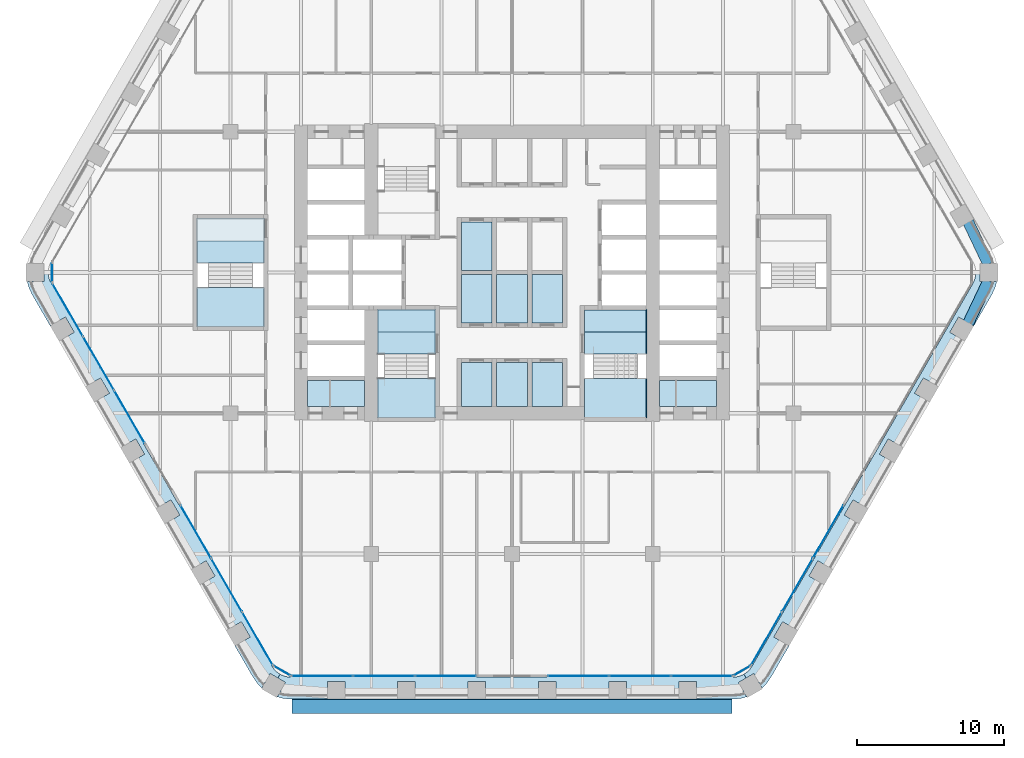
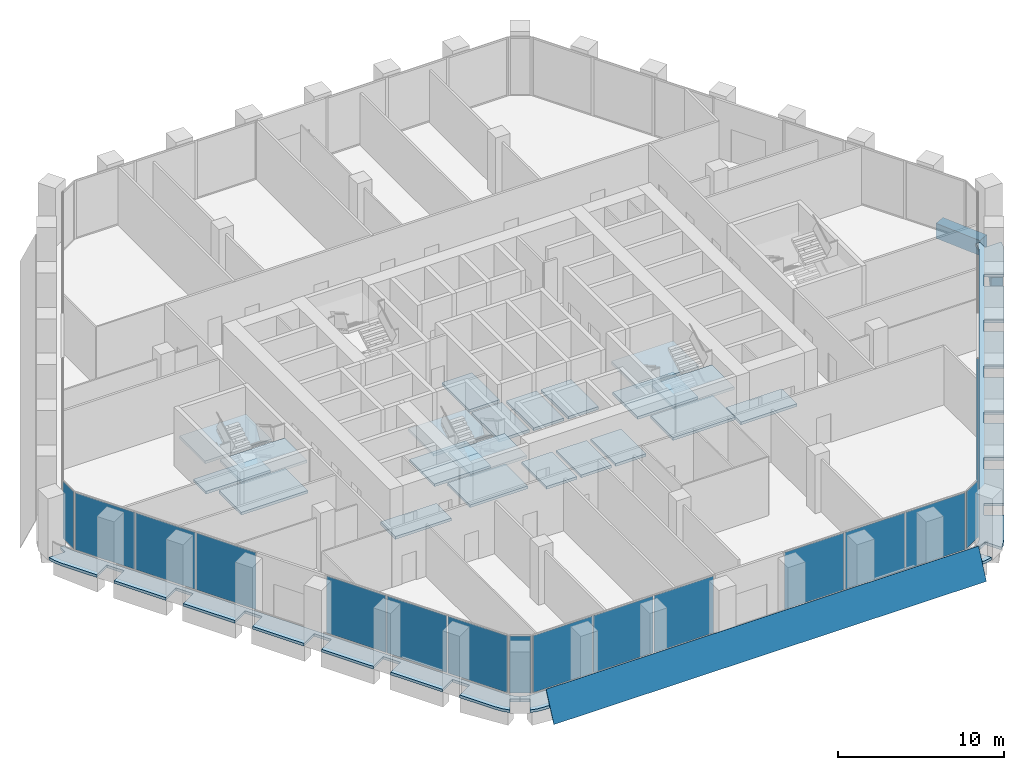
# One storey, part 10 of 23: 26 slabs, 19 plates, 2 beams, 11 elements without a shape of their own.
"""IFC4 building model written with IfcOpenShell, lengths in metres."""

import ifcopenshell
import ifcopenshell.guid

model = None  # the IFC model being written
_history = None  # IfcOwnerHistory: only IFC2X3 demands one
_inside = {}  # id of a spatial element -> (the spatial element, [elements in it])
_under = {}  # id of a project, library or spatial element -> (it, [spatial elements below it])
_declared = {}  # id of a project -> (the project, [libraries it declares])
_typed = {}  # id of a type object -> (the type object, [elements of that type])
_made_of = {}  # id of a material, layer set ... -> (it, [elements and type objects made of it])


def new_model(schema):
    """Start an empty IFC model of exactly this schema.

    Asked for "IFC4X3", IfcOpenShell would pick the latest addendum, in which some entities
    have other attributes; the version numbers below select the first issue.
    IFC2X3 requires an IfcOwnerHistory on every rooted entity: one is made here for all.
    """
    global model, _history
    if schema == "IFC4X3":
        model = ifcopenshell.file(schema_version=(4, 3, 0, 0))
    else:
        model = ifcopenshell.file(schema=schema)
    _inside.clear()
    _under.clear()
    _declared.clear()
    _typed.clear()
    _made_of.clear()
    _history = None
    if model.schema == "IFC2X3":
        org = make("IfcOrganization", Name="unknown")
        user = make(
            "IfcPersonAndOrganization",
            ThePerson=make("IfcPerson", FamilyName="unknown"),
            TheOrganization=org,
        )
        app = make(
            "IfcApplication",
            ApplicationDeveloper=org,
            Version="unknown",
            ApplicationFullName="unknown",
            ApplicationIdentifier="unknown",
        )
        _history = make(
            "IfcOwnerHistory",
            OwningUser=user,
            OwningApplication=app,
            ChangeAction="ADDED",
            CreationDate=0,
        )
    return model


def make(cls, **values):
    """One entity of the class cls with the attributes given. An attribute that is None is left unset."""
    return model.create_entity(
        cls, **{name: value for name, value in values.items() if value is not None}
    )


def rooted(cls, **values):
    """An entity with a GlobalId (a new one), such as an element, a storey or a relation."""
    return make(cls, GlobalId=ifcopenshell.guid.new(), OwnerHistory=_history, **values)


def si_unit(unit_type, name, prefix=None):
    """IfcSIUnit, for example si_unit("LENGTHUNIT", "METRE", prefix="MILLI")."""
    return make("IfcSIUnit", UnitType=unit_type, Prefix=prefix, Name=name)


def assignment(units):
    """IfcUnitAssignment: the units of a project."""
    return None if units is None else make("IfcUnitAssignment", Units=units)


def point(xyz):
    """IfcCartesianPoint."""
    return None if xyz is None else make("IfcCartesianPoint", Coordinates=xyz)


def direction(xyz):
    """IfcDirection."""
    return None if xyz is None else make("IfcDirection", DirectionRatios=xyz)


def frame(location, z_axis=None, x_axis=None):
    """IfcAxis2Placement3D, a coordinate frame: its origin and axes. An axis left out is left unset."""
    return make(
        "IfcAxis2Placement3D",
        Location=point(location),
        Axis=direction(z_axis),
        RefDirection=direction(x_axis),
    )


def frame_2d(location, x_axis=None):
    """IfcAxis2Placement2D, a coordinate frame in the plane: its origin and x axis."""
    return make(
        "IfcAxis2Placement2D", Location=point(location), RefDirection=direction(x_axis)
    )


def origin():
    """The frame at (0, 0, 0) with its axes left unset."""
    return frame((0.0, 0.0, 0.0))


def origin_2d():
    """The frame at (0, 0) in the plane with its x axis left unset."""
    return frame_2d((0.0, 0.0))


def place(relative_to, where):
    """IfcLocalPlacement: puts the frame where relative to a parent placement (None: the world)."""
    return make(
        "IfcLocalPlacement", PlacementRelTo=relative_to, RelativePlacement=where
    )


def context(
    kind, dimensions, precision=None, world=None, true_north=None, identifier=None
):
    """IfcGeometricRepresentationContext, for example the 3D "Model" context."""
    return make(
        "IfcGeometricRepresentationContext",
        ContextIdentifier=identifier,
        ContextType=kind,
        CoordinateSpaceDimension=dimensions,
        Precision=precision,
        WorldCoordinateSystem=world,
        TrueNorth=true_north,
    )


def subcontext(parent, identifier, kind, view, scale=None):
    """IfcGeometricRepresentationSubContext, for example "Body" below "Model"."""
    return make(
        "IfcGeometricRepresentationSubContext",
        ContextIdentifier=identifier,
        ContextType=kind,
        ParentContext=parent,
        TargetScale=scale,
        TargetView=view,
    )


def project(units=None, contexts=None):
    """IfcProject with its units and contexts."""
    return rooted(
        "IfcProject",
        Name="project",
        RepresentationContexts=contexts,
        UnitsInContext=assignment(units),
    )


def spatial(cls, under=None, at=None, **own):
    """A site, building, storey or space (cls), placed at a placement, below another one or the project."""
    s = rooted(cls, ObjectPlacement=at, **own)
    if under is not None:
        _under.setdefault(under.id(), (under, []))[1].append(s)
    return s


def polyline(points):
    """IfcPolyline through the points."""
    return make("IfcPolyline", Points=[point(p) for p in points])


def profile(cls, at=None, kind="AREA", **sizes):
    """A parametric profile (cls). Its sizes go by their IFC names, for example OverallWidth=200.0."""
    return make(cls, ProfileType=kind, Position=at, **sizes)


def rectangle(**sizes):
    """IfcRectangleProfileDef."""
    return profile("IfcRectangleProfileDef", **sizes)


def outline(outer, holes=None, kind="AREA"):
    """IfcArbitraryClosedProfileDef: a profile drawn as a closed curve; with holes, ...WithVoids."""
    if holes is None:
        return make("IfcArbitraryClosedProfileDef", ProfileType=kind, OuterCurve=outer)
    return make(
        "IfcArbitraryProfileDefWithVoids",
        ProfileType=kind,
        OuterCurve=outer,
        InnerCurves=holes,
    )


def extrude(swept, where, along, depth):
    """IfcExtrudedAreaSolid: the profile swept, set in the frame where, extruded along a direction by depth."""
    return make(
        "IfcExtrudedAreaSolid",
        SweptArea=swept,
        Position=where,
        ExtrudedDirection=direction(along),
        Depth=depth,
    )


def shape(context_of_items, identifier, shape_type, items):
    """IfcShapeRepresentation: the items that make up one representation, for example the "Body"."""
    return make(
        "IfcShapeRepresentation",
        ContextOfItems=context_of_items,
        RepresentationIdentifier=identifier,
        RepresentationType=shape_type,
        Items=items,
    )


def material(Name=None, Category=None):
    """IfcMaterial."""
    return make("IfcMaterial", Name=Name, Category=Category)


def layer(
    of_material, thickness, ventilated=None, Name=None, Category=None, Priority=None
):
    """IfcMaterialLayer: one layer of a wall or slab, of a material (None: an air gap)."""
    return make(
        "IfcMaterialLayer",
        Material=of_material,
        LayerThickness=thickness,
        IsVentilated=ventilated,
        Name=Name,
        Category=Category,
        Priority=Priority,
    )


def layer_set(layers, Name=None):
    """IfcMaterialLayerSet."""
    return make("IfcMaterialLayerSet", MaterialLayers=layers, LayerSetName=Name)


def material_profile(
    of_material, cross_section, Name=None, Category=None, Priority=None
):
    """IfcMaterialProfile: a cross section and its material."""
    return make(
        "IfcMaterialProfile",
        Name=Name,
        Material=of_material,
        Profile=cross_section,
        Priority=Priority,
        Category=Category,
    )


def profile_set(profiles, Name=None, composite=None):
    """IfcMaterialProfileSet."""
    return make(
        "IfcMaterialProfileSet",
        Name=Name,
        MaterialProfiles=profiles,
        CompositeProfile=composite,
    )


def made_of(thing, what):
    """Note that an element or type object is made of a material, layer set ...; save() writes the relation."""
    if what is not None:
        _made_of.setdefault(what.id(), (what, []))[1].append(thing)
    return thing


def type_object(cls, material=None, **own):
    """A type object (cls), such as IfcWallType, which elements share."""
    return made_of(rooted(cls, **own), material)


def element(
    cls,
    number,
    at=None,
    inside=None,
    cuts=None,
    type_object=None,
    material=None,
    context=None,
    identifier="Body",
    shape_type=None,
    held_by="IfcProductDefinitionShape",
    body=None,
    shapes=None,
    **own,
):
    """One element of the class cls, such as IfcWall. Its Tag is "e" and its number.

    at: its placement. inside: the storey or other place that contains it. cuts: it is an
    opening in that element (IfcRelVoidsElement). A single representation is given by context,
    identifier, shape_type and body (its items); several are given by shapes. held_by: the class
    of the entity that holds the representations. save() writes the other relations.
    """
    e = rooted(cls, Tag="e%d" % number, ObjectPlacement=at, **own)
    if body is not None:
        shapes = [shape(context, identifier, shape_type, body)]
    if shapes is not None:
        e.Representation = make(held_by, Representations=shapes)
    if inside is not None:
        _inside.setdefault(inside.id(), (inside, []))[1].append(e)
    if cuts is not None:
        rooted(
            "IfcRelVoidsElement", RelatingBuildingElement=cuts, RelatedOpeningElement=e
        )
    if type_object is not None:
        _typed.setdefault(type_object.id(), (type_object, []))[1].append(e)
    return made_of(e, material)


def aggregate(whole, parts):
    """IfcRelAggregates: a whole, such as a stair, and the parts it consists of."""
    return rooted("IfcRelAggregates", RelatingObject=whole, RelatedObjects=parts)


def save(model, path):
    """Write the relations noted so far, then the file.

    IfcRelAggregates (storeys below a building ...), IfcRelContainedInSpatialStructure (elements
    in a storey), IfcRelDefinesByType, IfcRelAssociatesMaterial and IfcRelDeclares: one each for
    every whole, place, type object, material and project.
    """
    for whole, parts in _under.values():
        aggregate(whole, parts)
    for where, things in _inside.values():
        rooted(
            "IfcRelContainedInSpatialStructure",
            RelatedElements=things,
            RelatingStructure=where,
        )
    for kind, things in _typed.values():
        rooted("IfcRelDefinesByType", RelatedObjects=things, RelatingType=kind)
    for what, things in _made_of.values():
        rooted("IfcRelAssociatesMaterial", RelatedObjects=things, RelatingMaterial=what)
    for by, libraries in _declared.values():
        rooted("IfcRelDeclares", RelatingContext=by, RelatedDefinitions=libraries)
    model.write(path)


model = new_model("IFC4")

# Units and contexts
model_context = context("Model", 3, precision=1e-05, world=origin(), true_north=direction((0.0, 1.0)))
body_context = subcontext(model_context, "Body", "Model", "MODEL_VIEW")
ifc_project = project(units=[si_unit("LENGTHUNIT", "METRE"), si_unit("AREAUNIT", "SQUARE_METRE"), si_unit("VOLUMEUNIT", "CUBIC_METRE"), si_unit("PLANEANGLEUNIT", "RADIAN"), si_unit("MASSUNIT", "GRAM", prefix="KILO")], contexts=[model_context])

# Site, building, storey
site_placement = place(None, origin())
site = spatial("IfcSite", under=ifc_project, at=site_placement, CompositionType="ELEMENT")
building_placement = place(site_placement, origin())
building = spatial("IfcBuilding", under=site, at=building_placement, Name="Kolab Exchange Tower", CompositionType="ELEMENT")
storey_placement = place(building_placement, frame((0.0, 0.0, 95.89990234375)))
storey = spatial("IfcBuildingStorey", under=building, at=storey_placement, Name="L18", CompositionType="ELEMENT", Elevation=95.89990234375)

# Beams
ifc_material_1 = material(Name="Concrete C70/85", Category="concrete")
ifc_material_profile = material_profile(ifc_material_1, rectangle(XDim=0.75, YDim=1.10009765625, at=origin_2d()), Name="RC750X1100")
ifc_profile_set = profile_set([ifc_material_profile], Name="Concrete C70/85")
beam_type = type_object("IfcBeamType", Name="SPANDREL BEAM 750X1100 C70/85", PredefinedType="BEAM", material=ifc_profile_set)
for number, where, z_axis, x_axis, name in (
    (1, (31.116455078125, 3.4619140625, -0.75), (0.429041292193, -0.903284877319, 0.0), (0.903284877319, 0.429041292193, 0.0), "beam/L18/sp/F2-07"),
    (2, (32.492919921875, -0.56396484375, -0.75), (-0.429041292193, -0.903284877319, 0.0), (0.903284877319, -0.429041292193, 0.0), "beam/L18/sp/F3-01"),
):
    element("IfcBeam", number, at=place(storey_placement, frame(where, z_axis=z_axis, x_axis=x_axis)), inside=storey, type_object=beam_type, Name=name, PredefinedType="BEAM", context=body_context, shape_type="SweptSolid", body=[
        extrude(rectangle(XDim=0.75, YDim=1.10009765625, at=origin_2d()), origin(), (0.0, 0.0, 1.0), 3.208251953125),
    ])

# Slabs
ifc_material_2 = material(Name="Concrete C35/45", Category="concrete")
ifc_layer_1 = layer(ifc_material_2, 0.199951171875)
ifc_layer_set_1 = layer_set([ifc_layer_1], Name="Concrete C35/45")
slab_type_1 = type_object("IfcSlabType", Name="FLOOR SLAB 200", PredefinedType="FLOOR", material=ifc_layer_set_1)
slab_1_placement = place(storey_placement, frame((0.0, 0.0, -0.199951171875)))
element("IfcSlab", 3, at=slab_1_placement, inside=storey, type_object=slab_type_1, Name="slab/L18/floor/2", PredefinedType="FLOOR", context=body_context, shape_type="SweptSolid", body=[
    extrude(outline(polyline([(-10.050048828125, -9.14990234375), (-10.050048828125, -7.35009765625), (-13.949951171875, -7.35009765625), (-13.949951171875, -9.14990234375), (-10.050048828125, -9.14990234375)])), origin(), (0.0, 0.0, 1.0), 0.199951171875),
])
slab_2_placement = place(storey_placement, frame((0.0, 0.0, -0.199951171875)))
element("IfcSlab", 4, at=slab_2_placement, inside=storey, type_object=slab_type_1, Name="slab/L18/floor/4", PredefinedType="FLOOR", context=body_context, shape_type="SweptSolid", body=[
    extrude(outline(polyline([(10.050048828125, -9.14990234375), (13.949951171875, -9.14990234375), (13.949951171875, -7.35009765625), (10.050048828125, -7.35009765625), (10.050048828125, -9.14990234375)])), origin(), (0.0, 0.0, 1.0), 0.199951171875),
])
slab_3_placement = place(storey_placement, frame((0.0, 0.0, -0.199951171875)))
element("IfcSlab", 5, at=slab_3_placement, inside=storey, type_object=slab_type_1, Name="slab/L18/floor/6", PredefinedType="FLOOR", context=body_context, shape_type="SweptSolid", body=[
    extrude(outline(polyline([(-1.35009765625, -3.449951171875), (-1.35009765625, -0.14990234375), (-3.449951171875, -0.14990234375), (-3.449951171875, -3.449951171875), (-1.35009765625, -3.449951171875)])), origin(), (0.0, 0.0, 1.0), 0.199951171875),
])
slab_4_placement = place(storey_placement, frame((0.0, 0.0, -0.199951171875)))
element("IfcSlab", 6, at=slab_4_placement, inside=storey, type_object=slab_type_1, Name="slab/L18/floor/7", PredefinedType="FLOOR", context=body_context, shape_type="SweptSolid", body=[
    extrude(outline(polyline([(-1.35009765625, 0.14990234375), (-1.35009765625, 3.449951171875), (-3.449951171875, 3.449951171875), (-3.449951171875, 0.14990234375), (-1.35009765625, 0.14990234375)])), origin(), (0.0, 0.0, 1.0), 0.199951171875),
])
slab_5_placement = place(storey_placement, frame((0.0, 0.0, -0.199951171875)))
element("IfcSlab", 7, at=slab_5_placement, inside=storey, type_object=slab_type_1, Name="slab/L18/floor/8", PredefinedType="FLOOR", context=body_context, shape_type="SweptSolid", body=[
    extrude(outline(polyline([(-1.050048828125, -0.14990234375), (-1.050048828125, -3.449951171875), (1.050048828125, -3.449951171875), (1.050048828125, -0.14990234375), (-1.050048828125, -0.14990234375)])), origin(), (0.0, 0.0, 1.0), 0.199951171875),
])
slab_6_placement = place(storey_placement, frame((0.0, 0.0, -0.199951171875)))
element("IfcSlab", 8, at=slab_6_placement, inside=storey, type_object=slab_type_1, Name="slab/L18/floor/10", PredefinedType="FLOOR", context=body_context, shape_type="SweptSolid", body=[
    extrude(outline(polyline([(1.35009765625, -3.449951171875), (3.449951171875, -3.449951171875), (3.449951171875, -0.14990234375), (1.35009765625, -0.14990234375), (1.35009765625, -3.449951171875)])), origin(), (0.0, 0.0, 1.0), 0.199951171875),
])
slab_7_placement = place(storey_placement, frame((0.0, 0.0, -0.199951171875)))
element("IfcSlab", 9, at=slab_7_placement, inside=storey, type_object=slab_type_1, Name="slab/L18/floor/14", PredefinedType="FLOOR", context=body_context, shape_type="SweptSolid", body=[
    extrude(outline(polyline([(-1.35009765625, -6.14990234375), (-3.449951171875, -6.14990234375), (-3.449951171875, -9.14990234375), (-1.35009765625, -9.14990234375), (-1.35009765625, -6.14990234375)])), origin(), (0.0, 0.0, 1.0), 0.199951171875),
])
slab_8_placement = place(storey_placement, frame((0.0, 0.0, -0.199951171875)))
element("IfcSlab", 10, at=slab_8_placement, inside=storey, type_object=slab_type_1, Name="slab/L18/floor/16", PredefinedType="FLOOR", context=body_context, shape_type="SweptSolid", body=[
    extrude(outline(polyline([(1.050048828125, -6.14990234375), (-1.050048828125, -6.14990234375), (-1.050048828125, -9.14990234375), (1.050048828125, -9.14990234375), (1.050048828125, -6.14990234375)])), origin(), (0.0, 0.0, 1.0), 0.199951171875),
])
slab_9_placement = place(storey_placement, frame((0.0, 0.0, -0.199951171875)))
element("IfcSlab", 11, at=slab_9_placement, inside=storey, type_object=slab_type_1, Name="slab/L18/floor/18", PredefinedType="FLOOR", context=body_context, shape_type="SweptSolid", body=[
    extrude(outline(polyline([(1.35009765625, -6.14990234375), (1.35009765625, -9.14990234375), (3.449951171875, -9.14990234375), (3.449951171875, -6.14990234375), (1.35009765625, -6.14990234375)])), origin(), (0.0, 0.0, 1.0), 0.199951171875),
])
slab_10_placement = place(storey_placement, frame((0.0, 0.0, -0.199951171875)))
element("IfcSlab", 12, at=slab_10_placement, inside=storey, type_object=slab_type_1, Name="slab/L18/floor/20", PredefinedType="FLOOR", context=body_context, shape_type="SweptSolid", body=[
    extrude(outline(polyline([(4.949951171875, -4.050048828125), (9.14990234375, -4.050048828125), (9.14990234375, -2.550048828125), (6.14990234375, -2.550048828125), (5.85009765625, -2.550048828125), (4.949951171875, -2.550048828125), (4.949951171875, -4.050048828125)])), origin(), (0.0, 0.0, 1.0), 0.199951171875),
])
slab_11_placement = place(storey_placement, frame((0.0, 0.0, -0.199951171875)))
element("IfcSlab", 13, at=slab_11_placement, inside=storey, type_object=slab_type_1, Name="slab/L18/floor/21", PredefinedType="FLOOR", context=body_context, shape_type="SweptSolid", body=[
    extrude(outline(polyline([(-9.14990234375, -2.550048828125), (-9.14990234375, -4.050048828125), (-5.25, -4.050048828125), (-5.25, -2.550048828125), (-7.25, -2.550048828125), (-7.550048828125, -2.550048828125), (-9.14990234375, -2.550048828125)])), origin(), (0.0, 0.0, 1.0), 0.199951171875),
])
ifc_layer_2 = layer(ifc_material_2, 0.199951171875)
ifc_layer_set_2 = layer_set([ifc_layer_2], Name="Concrete C35/45")
slab_type_2 = type_object("IfcSlabType", Name="LOGGIA SLAB 200", PredefinedType="FLOOR", material=ifc_layer_set_2)
slab_12_placement = place(storey_placement, frame((0.0, 0.0, -0.199951171875)))
element("IfcSlab", 14, at=slab_12_placement, inside=storey, type_object=slab_type_2, Name="slab/L18/loggia/2-0", PredefinedType="FLOOR", context=body_context, shape_type="SweptSolid", body=[
    extrude(outline(polyline([(17.666015625, -27.598388671875), (18.89990234375, -25.461181640625), (17.86083984375, -24.861083984375), (18.460693359375, -23.822021484375), (19.5, -24.421875), (21.300048828125, -21.30419921875), (20.2607421875, -20.704345703125), (20.86083984375, -19.6650390625), (21.89990234375, -20.264892578125), (23.699951171875, -17.147216796875), (22.660888671875, -16.54736328125), (23.2607421875, -15.508056640625), (24.300048828125, -16.108154296875), (26.10009765625, -12.990478515625), (25.060791015625, -12.390380859375), (25.660888671875, -11.35107421875), (26.699951171875, -11.951171875), (28.5, -8.83349609375), (27.460693359375, -8.2333984375), (28.060791015625, -7.1943359375), (29.10009765625, -7.794189453125), (30.89990234375, -4.676513671875), (29.86083984375, -4.076416015625), (30.460693359375, -3.037353515625), (31.5, -3.63720703125), (32.73388671875, -1.5), (32.955078125, -1.026123046875), (33.069091796875, -0.60009765625), (31.935791015625, -0.60009765625), (31.935791015625, 0.0), (31.635986328125, 0.0), (31.613037109375, -0.260498046875), (31.54541015625, -0.512939453125), (31.434814453125, -0.75), (16.366943359375, -26.848388671875), (16.217041015625, -27.062744140625), (16.0322265625, -27.24755859375), (15.81787109375, -27.3974609375), (15.968017578125, -27.6572265625), (16.487548828125, -27.357177734375), (17.05419921875, -28.338623046875), (17.365966796875, -28.02685546875), (17.666015625, -27.598388671875)])), origin(), (0.0, 0.0, 1.0), 0.199951171875),
])
slab_13_placement = place(storey_placement, frame((0.0, 0.0, -0.199951171875)))
element("IfcSlab", 15, at=slab_13_placement, inside=storey, type_object=slab_type_2, Name="slab/L18/loggia/3-0", PredefinedType="FLOOR", context=body_context, shape_type="SweptSolid", body=[
    extrude(outline(polyline([(-15.81787109375, -27.3974609375), (-15.968017578125, -27.6572265625), (-15.4482421875, -27.957275390625), (-16.014892578125, -28.938720703125), (-15.5888671875, -29.052978515625), (-15.06787109375, -29.098388671875), (-12.60009765625, -29.098388671875), (-12.60009765625, -27.8984375), (-11.39990234375, -27.8984375), (-11.39990234375, -29.098388671875), (-7.800048828125, -29.098388671875), (-7.800048828125, -27.8984375), (-6.60009765625, -27.8984375), (-6.60009765625, -29.098388671875), (-3.0, -29.098388671875), (-3.0, -27.8984375), (-1.800048828125, -27.8984375), (-1.800048828125, -29.098388671875), (1.800048828125, -29.098388671875), (1.800048828125, -27.8984375), (3.0, -27.8984375), (3.0, -29.098388671875), (6.60009765625, -29.098388671875), (6.60009765625, -27.8984375), (7.800048828125, -27.8984375), (7.800048828125, -29.098388671875), (11.39990234375, -29.098388671875), (11.39990234375, -27.8984375), (12.60009765625, -27.8984375), (12.60009765625, -29.098388671875), (15.06787109375, -29.098388671875), (15.5888671875, -29.052978515625), (16.014892578125, -28.938720703125), (15.4482421875, -27.957275390625), (15.968017578125, -27.6572265625), (15.81787109375, -27.3974609375), (15.5810546875, -27.508056640625), (15.328369140625, -27.57568359375), (15.06787109375, -27.598388671875), (-15.06787109375, -27.598388671875), (-15.328369140625, -27.57568359375), (-15.5810546875, -27.508056640625), (-15.81787109375, -27.3974609375)])), origin(), (0.0, 0.0, 1.0), 0.199951171875),
])
slab_14_placement = place(storey_placement, frame((0.0, 0.0, -0.199951171875)))
element("IfcSlab", 16, at=slab_14_placement, inside=storey, type_object=slab_type_2, Name="slab/L18/loggia/4-0", PredefinedType="FLOOR", context=body_context, shape_type="SweptSolid", body=[
    extrude(outline(polyline([(-31.635986328125, 0.0), (-31.935791015625, 0.0), (-31.935791015625, -0.60009765625), (-33.069091796875, -0.60009765625), (-32.955078125, -1.026123046875), (-32.73388671875, -1.5), (-31.5, -3.63720703125), (-30.460693359375, -3.037353515625), (-29.86083984375, -4.076416015625), (-30.89990234375, -4.676513671875), (-29.10009765625, -7.794189453125), (-28.060791015625, -7.1943359375), (-27.460693359375, -8.2333984375), (-28.5, -8.83349609375), (-26.699951171875, -11.951171875), (-25.660888671875, -11.35107421875), (-25.060791015625, -12.390380859375), (-26.10009765625, -12.990478515625), (-24.300048828125, -16.108154296875), (-23.2607421875, -15.508056640625), (-22.660888671875, -16.54736328125), (-23.699951171875, -17.147216796875), (-21.89990234375, -20.264892578125), (-20.86083984375, -19.6650390625), (-20.2607421875, -20.704345703125), (-21.300048828125, -21.30419921875), (-19.5, -24.421875), (-18.460693359375, -23.822021484375), (-17.86083984375, -24.861083984375), (-18.89990234375, -25.461181640625), (-17.666015625, -27.598388671875), (-17.365966796875, -28.02685546875), (-17.05419921875, -28.338623046875), (-16.487548828125, -27.357177734375), (-15.968017578125, -27.6572265625), (-15.81787109375, -27.3974609375), (-16.0322265625, -27.24755859375), (-16.217041015625, -27.062744140625), (-16.366943359375, -26.848388671875), (-31.434814453125, -0.75), (-31.54541015625, -0.512939453125), (-31.613037109375, -0.260498046875), (-31.635986328125, 0.0)])), origin(), (0.0, 0.0, 1.0), 0.199951171875),
])

# Plate
ifc_material_3 = material(Name="Laminated glass, clear", Category="glass")
ifc_layer_3 = layer(ifc_material_3, 0.0400390625)
ifc_layer_set_3 = layer_set([ifc_layer_3], Name="Laminated glass, clear")
plate_type_1 = type_object("IfcPlateType", Name="OUTER SKIN LAMINATED GLASS SHEET 40", PredefinedType="SHEET", material=ifc_layer_set_3)
plate_1_placement = place(storey_placement, frame((15.01806640625, -30.078857421875, -0.73291015625), z_axis=(0.0, -0.906331045159, 0.422568380954), x_axis=(-1.0, 0.0, 0.0)))
element("IfcPlate", 17, at=plate_1_placement, inside=storey, type_object=plate_type_1, Name="Outer skin", PredefinedType="SHEET", context=body_context, shape_type="SweptSolid", body=[
    extrude(outline(polyline([(0.0, 0.0), (30.0361328125, 0.0), (30.0361328125, -2.2341751996320496), (0.0, -2.2341751996320496), (0.0, 0.0)])), origin(), (0.0, 0.0, -1.0), 0.0400390625),
])

# Stair, slabs
ifc_material_4 = material(Name="Concrete C50/60", Category="concrete")
stair_type_1 = type_object("IfcStairType", Name="STAIR ST3 RISER 160.7", PredefinedType="DOUBLE_RETURN_STAIR", material=ifc_material_4)
stair_1_placement = place(storey_placement, origin())
stair_1 = element("IfcStair", 18, at=stair_1_placement, inside=storey, type_object=stair_type_1, Name="Stair 3", PredefinedType="DOUBLE_RETURN_STAIR")
ifc_layer_4 = layer(ifc_material_4, 0.199951171875)
ifc_layer_set_4 = layer_set([ifc_layer_4], Name="Concrete C50/60")
slab_type_3 = type_object("IfcSlabType", Name="STAIR LANDING 200", PredefinedType="LANDING", material=ifc_layer_set_4)
slab_15_placement = place(storey_placement, frame((0.0, 0.0, -0.199951171875)))
slab_15 = element("IfcSlab", 19, at=slab_15_placement, type_object=slab_type_3, Name="ST3 landing 1", PredefinedType="LANDING", context=body_context, shape_type="SweptSolid", body=[
    extrude(outline(polyline([(-9.14990234375, -5.550048828125), (-5.25, -5.550048828125), (-5.25, -4.050048828125), (-9.14990234375, -4.050048828125), (-9.14990234375, -5.550048828125)])), origin(), (0.0, 0.0, 1.0), 0.199951171875),
])
slab_16_placement = place(storey_placement, frame((0.0, 0.0, 0.925048828125)))
slab_16 = element("IfcSlab", 20, at=slab_16_placement, type_object=slab_type_3, Name="ST3 landing 2", PredefinedType="LANDING", context=body_context, shape_type="SweptSolid", body=[
    extrude(outline(polyline([(-9.2099609375, -9.909912109375), (-5.18994140625, -9.909912109375), (-5.18994140625, -7.22998046875), (-9.2099609375, -7.22998046875), (-9.2099609375, -9.909912109375)])), origin(), (0.0, 0.0, 1.0), 0.199951171875),
])
slab_17_placement = place(storey_placement, frame((0.0, 0.0, 2.050048828125)))
slab_17 = element("IfcSlab", 21, at=slab_17_placement, type_object=slab_type_3, Name="ST3 landing 3", PredefinedType="LANDING", context=body_context, shape_type="SweptSolid", body=[
    extrude(outline(polyline([(-9.2099609375, -5.550048828125), (-5.18994140625, -5.550048828125), (-5.18994140625, -2.489990234375), (-9.2099609375, -2.489990234375), (-9.2099609375, -5.550048828125)])), origin(), (0.0, 0.0, 1.0), 0.199951171875),
])
slab_18_placement = place(storey_placement, frame((0.0, 0.0, 3.175048828125)))
slab_18 = element("IfcSlab", 22, at=slab_18_placement, type_object=slab_type_3, Name="ST3 landing 4", PredefinedType="LANDING", context=body_context, shape_type="SweptSolid", body=[
    extrude(outline(polyline([(-9.14990234375, -9.909912109375), (-5.25, -9.909912109375), (-5.25, -7.22998046875), (-9.14990234375, -7.22998046875), (-9.14990234375, -9.909912109375)])), origin(), (0.0, 0.0, 1.0), 0.199951171875),
])
aggregate(stair_1, [slab_15, slab_16, slab_17, slab_18])

stair_type_2 = type_object("IfcStairType", Name="STAIR ST2 RISER 160.7", PredefinedType="DOUBLE_RETURN_STAIR", material=ifc_material_4)
stair_2_placement = place(storey_placement, origin())
stair_2 = element("IfcStair", 23, at=stair_2_placement, inside=storey, type_object=stair_type_2, Name="Stair 2", PredefinedType="DOUBLE_RETURN_STAIR")
slab_19_placement = place(storey_placement, frame((0.0, 0.0, -0.199951171875)))
slab_19 = element("IfcSlab", 24, at=slab_19_placement, type_object=slab_type_3, Name="ST2 landing 1", PredefinedType="LANDING", context=body_context, shape_type="SweptSolid", body=[
    extrude(outline(polyline([(4.949951171875, -5.550048828125), (9.14990234375, -5.550048828125), (9.14990234375, -4.050048828125), (4.949951171875, -4.050048828125), (4.949951171875, -5.550048828125)])), origin(), (0.0, 0.0, 1.0), 0.199951171875),
])
slab_20_placement = place(storey_placement, frame((0.0, 0.0, 0.925048828125)))
slab_20 = element("IfcSlab", 25, at=slab_20_placement, type_object=slab_type_3, Name="ST2 landing 2", PredefinedType="LANDING", context=body_context, shape_type="SweptSolid", body=[
    extrude(outline(polyline([(4.889892578125, -9.909912109375), (9.2099609375, -9.909912109375), (9.2099609375, -7.22998046875), (4.889892578125, -7.22998046875), (4.889892578125, -9.909912109375)])), origin(), (0.0, 0.0, 1.0), 0.199951171875),
])
slab_21_placement = place(storey_placement, frame((0.0, 0.0, 2.050048828125)))
slab_21 = element("IfcSlab", 26, at=slab_21_placement, type_object=slab_type_3, Name="ST2 landing 3", PredefinedType="LANDING", context=body_context, shape_type="SweptSolid", body=[
    extrude(outline(polyline([(4.889892578125, -5.550048828125), (9.2099609375, -5.550048828125), (9.2099609375, -2.489990234375), (4.889892578125, -2.489990234375), (4.889892578125, -5.550048828125)])), origin(), (0.0, 0.0, 1.0), 0.199951171875),
])
slab_22_placement = place(storey_placement, frame((0.0, 0.0, 3.175048828125)))
slab_22 = element("IfcSlab", 27, at=slab_22_placement, type_object=slab_type_3, Name="ST2 landing 4", PredefinedType="LANDING", context=body_context, shape_type="SweptSolid", body=[
    extrude(outline(polyline([(4.949951171875, -9.909912109375), (9.14990234375, -9.909912109375), (9.14990234375, -7.22998046875), (4.949951171875, -7.22998046875), (4.949951171875, -9.909912109375)])), origin(), (0.0, 0.0, 1.0), 0.199951171875),
])
aggregate(stair_2, [slab_19, slab_20, slab_21, slab_22])

stair_type_3 = type_object("IfcStairType", Name="STAIR ST5 RISER 160.7", PredefinedType="DOUBLE_RETURN_STAIR", material=ifc_material_4)
stair_3_placement = place(storey_placement, origin())
stair_3 = element("IfcStair", 28, at=stair_3_placement, inside=storey, type_object=stair_type_3, Name="Stair 5", PredefinedType="DOUBLE_RETURN_STAIR")
slab_23_placement = place(storey_placement, frame((0.0, 0.0, -0.199951171875)))
slab_23 = element("IfcSlab", 29, at=slab_23_placement, type_object=slab_type_3, Name="ST5 landing 1", PredefinedType="LANDING", context=body_context, shape_type="SweptSolid", body=[
    extrude(outline(polyline([(-21.449951171875, 0.64990234375), (-16.949951171875, 0.64990234375), (-16.949951171875, 2.14990234375), (-21.449951171875, 2.14990234375), (-21.449951171875, 0.64990234375)])), origin(), (0.0, 0.0, 1.0), 0.199951171875),
])
slab_24_placement = place(storey_placement, frame((0.0, 0.0, 0.925048828125)))
slab_24 = element("IfcSlab", 30, at=slab_24_placement, type_object=slab_type_3, Name="ST5 landing 2", PredefinedType="LANDING", context=body_context, shape_type="SweptSolid", body=[
    extrude(outline(polyline([(-21.510009765625, -3.7099609375), (-16.889892578125, -3.7099609375), (-16.889892578125, -1.030029296875), (-21.510009765625, -1.030029296875), (-21.510009765625, -3.7099609375)])), origin(), (0.0, 0.0, 1.0), 0.199951171875),
])
slab_25_placement = place(storey_placement, frame((0.0, 0.0, 2.050048828125)))
slab_25 = element("IfcSlab", 31, at=slab_25_placement, type_object=slab_type_3, Name="ST5 landing 3", PredefinedType="LANDING", context=body_context, shape_type="SweptSolid", body=[
    extrude(outline(polyline([(-21.510009765625, 0.64990234375), (-16.889892578125, 0.64990234375), (-16.889892578125, 3.7099609375), (-21.510009765625, 3.7099609375), (-21.510009765625, 0.64990234375)])), origin(), (0.0, 0.0, 1.0), 0.199951171875),
])
slab_26_placement = place(storey_placement, frame((0.0, 0.0, 3.175048828125)))
slab_26 = element("IfcSlab", 32, at=slab_26_placement, type_object=slab_type_3, Name="ST5 landing 4", PredefinedType="LANDING", context=body_context, shape_type="SweptSolid", body=[
    extrude(outline(polyline([(-21.449951171875, -3.7099609375), (-16.949951171875, -3.7099609375), (-16.949951171875, -1.030029296875), (-21.449951171875, -1.030029296875), (-21.449951171875, -3.7099609375)])), origin(), (0.0, 0.0, 1.0), 0.199951171875),
])
aggregate(stair_3, [slab_23, slab_24, slab_25, slab_26])

# Curtain wall, plates
ifc_material_5 = material(Name="Aluminium EN AW-6063 T6", Category="aluminium")
curtain_wall_type = type_object("IfcCurtainWallType", Name="UNITISED LOWER MID ZONE CURTAIN WALL", PredefinedType="NOTDEFINED", material=ifc_material_5)
curtain_wall_1_placement = place(storey_placement, origin())
curtain_wall_1 = element("IfcCurtainWall", 33, at=curtain_wall_1_placement, inside=storey, type_object=curtain_wall_type, Name="cw/L18/F3-2", PredefinedType="NOTDEFINED")
ifc_material_6 = material(Name="Clear insulated glazing unit", Category="glass")
ifc_layer_5 = layer(ifc_material_6, 0.02587890625)
ifc_layer_set_5 = layer_set([ifc_layer_5], Name="Clear insulated glazing unit")
plate_type_2 = type_object("IfcPlateType", Name="UNITISED LOWER MID ZONE GLASS PANEL 26", PredefinedType="CURTAIN_PANEL", material=ifc_layer_set_5)
plate_2_placement = place(storey_placement, frame((21.568603515625, -17.67919921875, 0.06005859375), z_axis=(0.0, 0.0, 1.0), x_axis=(-0.500000017564, -0.866025393644, 0.0)))
plate_2 = element("IfcPlate", 34, at=plate_2_placement, type_object=plate_type_2, Name="CW2 panel 1.1", PredefinedType="CURTAIN_PANEL", context=body_context, shape_type="SweptSolid", body=[
    extrude(rectangle(XDim=4.132568359375, YDim=0.02587890625, at=origin_2d()), origin(), (0.0, 0.0, 1.0), 4.179931640625),
])
plate_3_placement = place(storey_placement, frame((19.464599609375, -21.322998046875, 0.06005859375), z_axis=(0.0, 0.0, 1.0), x_axis=(-0.500000017564, -0.866025393644, 0.0)))
plate_3 = element("IfcPlate", 35, at=plate_3_placement, type_object=plate_type_2, Name="CW2 panel 2.1", PredefinedType="CURTAIN_PANEL", context=body_context, shape_type="SweptSolid", body=[
    extrude(rectangle(XDim=4.16259765625, YDim=0.02587890625, at=origin_2d()), origin(), (0.0, 0.0, 1.0), 4.179931640625),
])
plate_4_placement = place(storey_placement, frame((17.36083984375, -24.967041015625, 0.06005859375), z_axis=(0.0, 0.0, 1.0), x_axis=(-0.500000017564, -0.866025393644, 0.0)))
plate_4 = element("IfcPlate", 36, at=plate_4_placement, type_object=plate_type_2, Name="CW2 panel 3.1", PredefinedType="CURTAIN_PANEL", context=body_context, shape_type="SweptSolid", body=[
    extrude(rectangle(XDim=4.132568359375, YDim=0.02587890625, at=origin_2d()), origin(), (0.0, 0.0, 1.0), 4.179931640625),
])
aggregate(curtain_wall_1, [plate_2, plate_3, plate_4])

curtain_wall_2_placement = place(storey_placement, origin())
curtain_wall_2 = element("IfcCurtainWall", 37, at=curtain_wall_2_placement, inside=storey, type_object=curtain_wall_type, Name="cw/L18/F4-1", PredefinedType="NOTDEFINED")
plate_5_placement = place(storey_placement, frame((12.941650390625, -27.5185546875, 0.06005859375), z_axis=(0.0, 0.0, 1.0), x_axis=(-1.0, 0.0, 0.0)))
plate_5 = element("IfcPlate", 38, at=plate_5_placement, type_object=plate_type_2, Name="CW2 panel 1.1", PredefinedType="CURTAIN_PANEL", context=body_context, shape_type="SweptSolid", body=[
    extrude(rectangle(XDim=4.132568359375, YDim=0.02587890625, at=origin_2d()), origin(), (0.0, 0.0, 1.0), 4.179931640625),
])
plate_6_placement = place(storey_placement, frame((8.73388671875, -27.5185546875, 0.06005859375), z_axis=(0.0, 0.0, 1.0), x_axis=(-1.0, 0.0, 0.0)))
plate_6 = element("IfcPlate", 39, at=plate_6_placement, type_object=plate_type_2, Name="CW2 panel 2.1", PredefinedType="CURTAIN_PANEL", context=body_context, shape_type="SweptSolid", body=[
    extrude(rectangle(XDim=4.16259765625, YDim=0.02587890625, at=origin_2d()), origin(), (0.0, 0.0, 1.0), 4.179931640625),
])
plate_7_placement = place(storey_placement, frame((4.5263671875, -27.5185546875, 0.06005859375), z_axis=(0.0, 0.0, 1.0), x_axis=(-1.0, 0.0, 0.0)))
plate_7 = element("IfcPlate", 40, at=plate_7_placement, type_object=plate_type_2, Name="CW2 panel 3.1", PredefinedType="CURTAIN_PANEL", context=body_context, shape_type="SweptSolid", body=[
    extrude(rectangle(XDim=4.132568359375, YDim=0.02587890625, at=origin_2d()), origin(), (0.0, 0.0, 1.0), 4.179931640625),
])
aggregate(curtain_wall_2, [plate_5, plate_6, plate_7])

curtain_wall_3_placement = place(storey_placement, origin())
curtain_wall_3 = element("IfcCurtainWall", 41, at=curtain_wall_3_placement, inside=storey, type_object=curtain_wall_type, Name="cw/L18/F4-2", PredefinedType="NOTDEFINED")
plate_8_placement = place(storey_placement, frame((-4.5263671875, -27.5185546875, 0.06005859375), z_axis=(0.0, 0.0, 1.0), x_axis=(-1.0, 0.0, 0.0)))
plate_8 = element("IfcPlate", 42, at=plate_8_placement, type_object=plate_type_2, Name="CW2 panel 1.1", PredefinedType="CURTAIN_PANEL", context=body_context, shape_type="SweptSolid", body=[
    extrude(rectangle(XDim=4.132568359375, YDim=0.02587890625, at=origin_2d()), origin(), (0.0, 0.0, 1.0), 4.179931640625),
])
plate_9_placement = place(storey_placement, frame((-8.73388671875, -27.5185546875, 0.06005859375), z_axis=(0.0, 0.0, 1.0), x_axis=(-1.0, 0.0, 0.0)))
plate_9 = element("IfcPlate", 43, at=plate_9_placement, type_object=plate_type_2, Name="CW2 panel 2.1", PredefinedType="CURTAIN_PANEL", context=body_context, shape_type="SweptSolid", body=[
    extrude(rectangle(XDim=4.16259765625, YDim=0.02587890625, at=origin_2d()), origin(), (0.0, 0.0, 1.0), 4.179931640625),
])
plate_10_placement = place(storey_placement, frame((-12.941650390625, -27.5185546875, 0.06005859375), z_axis=(0.0, 0.0, 1.0), x_axis=(-1.0, 0.0, 0.0)))
plate_10 = element("IfcPlate", 44, at=plate_10_placement, type_object=plate_type_2, Name="CW2 panel 3.1", PredefinedType="CURTAIN_PANEL", context=body_context, shape_type="SweptSolid", body=[
    extrude(rectangle(XDim=4.132568359375, YDim=0.02587890625, at=origin_2d()), origin(), (0.0, 0.0, 1.0), 4.179931640625),
])
aggregate(curtain_wall_3, [plate_8, plate_9, plate_10])

curtain_wall_4_placement = place(storey_placement, origin())
curtain_wall_4 = element("IfcCurtainWall", 45, at=curtain_wall_4_placement, inside=storey, type_object=curtain_wall_type, Name="cw/L18/F5-1", PredefinedType="NOTDEFINED")
plate_11_placement = place(storey_placement, frame((-17.36083984375, -24.967041015625, 0.06005859375), z_axis=(0.0, 0.0, 1.0), x_axis=(-0.500000017564, 0.866025393644, 0.0)))
plate_11 = element("IfcPlate", 46, at=plate_11_placement, type_object=plate_type_2, Name="CW2 panel 1.1", PredefinedType="CURTAIN_PANEL", context=body_context, shape_type="SweptSolid", body=[
    extrude(rectangle(XDim=4.132568359375, YDim=0.02587890625, at=origin_2d()), origin(), (0.0, 0.0, 1.0), 4.179931640625),
])
plate_12_placement = place(storey_placement, frame((-19.464599609375, -21.322998046875, 0.06005859375), z_axis=(0.0, 0.0, 1.0), x_axis=(-0.500000017564, 0.866025393644, 0.0)))
plate_12 = element("IfcPlate", 47, at=plate_12_placement, type_object=plate_type_2, Name="CW2 panel 2.1", PredefinedType="CURTAIN_PANEL", context=body_context, shape_type="SweptSolid", body=[
    extrude(rectangle(XDim=4.16259765625, YDim=0.02587890625, at=origin_2d()), origin(), (0.0, 0.0, 1.0), 4.179931640625),
])
plate_13_placement = place(storey_placement, frame((-21.568603515625, -17.67919921875, 0.06005859375), z_axis=(0.0, 0.0, 1.0), x_axis=(-0.500000017564, 0.866025393644, 0.0)))
plate_13 = element("IfcPlate", 48, at=plate_13_placement, type_object=plate_type_2, Name="CW2 panel 3.1", PredefinedType="CURTAIN_PANEL", context=body_context, shape_type="SweptSolid", body=[
    extrude(rectangle(XDim=4.132568359375, YDim=0.02587890625, at=origin_2d()), origin(), (0.0, 0.0, 1.0), 4.179931640625),
])
aggregate(curtain_wall_4, [plate_11, plate_12, plate_13])

curtain_wall_5_placement = place(storey_placement, origin())
curtain_wall_5 = element("IfcCurtainWall", 49, at=curtain_wall_5_placement, inside=storey, type_object=curtain_wall_type, Name="cw/L18/F5-2", PredefinedType="NOTDEFINED")
plate_14_placement = place(storey_placement, frame((-26.0947265625, -9.83935546875, 0.06005859375), z_axis=(0.0, 0.0, 1.0), x_axis=(-0.499999958358, 0.866025427826, 0.0)))
plate_14 = element("IfcPlate", 50, at=plate_14_placement, type_object=plate_type_2, Name="CW2 panel 1.1", PredefinedType="CURTAIN_PANEL", context=body_context, shape_type="SweptSolid", body=[
    extrude(rectangle(XDim=4.132568359375, YDim=0.02587890625, at=origin_2d()), origin(), (0.0, 0.0, 1.0), 4.179931640625),
])
plate_15_placement = place(storey_placement, frame((-28.19873046875, -6.1953125, 0.06005859375), z_axis=(0.0, 0.0, 1.0), x_axis=(-0.499999958358, 0.866025427826, 0.0)))
plate_15 = element("IfcPlate", 51, at=plate_15_placement, type_object=plate_type_2, Name="CW2 panel 2.1", PredefinedType="CURTAIN_PANEL", context=body_context, shape_type="SweptSolid", body=[
    extrude(rectangle(XDim=4.16259765625, YDim=0.02587890625, at=origin_2d()), origin(), (0.0, 0.0, 1.0), 4.179931640625),
])
plate_16_placement = place(storey_placement, frame((-30.302490234375, -2.551513671875, 0.06005859375), z_axis=(0.0, 0.0, 1.0), x_axis=(-0.499999958358, 0.866025427826, 0.0)))
plate_16 = element("IfcPlate", 52, at=plate_16_placement, type_object=plate_type_2, Name="CW2 panel 3.1", PredefinedType="CURTAIN_PANEL", context=body_context, shape_type="SweptSolid", body=[
    extrude(rectangle(XDim=4.132568359375, YDim=0.02587890625, at=origin_2d()), origin(), (0.0, 0.0, 1.0), 4.179931640625),
])
aggregate(curtain_wall_5, [plate_14, plate_15, plate_16])

# Curtain wall, plate
curtain_wall_6_placement = place(storey_placement, origin())
curtain_wall_6 = element("IfcCurtainWall", 53, at=curtain_wall_6_placement, inside=storey, type_object=curtain_wall_type, Name="cw/L18/F3F4-corner", PredefinedType="NOTDEFINED")
plate_17_placement = place(storey_placement, frame((15.682861328125, -27.16357421875, 0.06005859375), z_axis=(0.0, 0.0, 1.0), x_axis=(-0.866025390869, -0.50000002237, 0.0)))
plate_17 = element("IfcPlate", 54, at=plate_17_placement, type_object=plate_type_2, Name="CW2 panel 1.1", PredefinedType="CURTAIN_PANEL", context=body_context, shape_type="SweptSolid", body=[
    extrude(rectangle(XDim=1.300048828125, YDim=0.02587890625, at=origin_2d()), origin(), (0.0, 0.0, 1.0), 4.179931640625),
])
aggregate(curtain_wall_6, [plate_17])

curtain_wall_7_placement = place(storey_placement, origin())
curtain_wall_7 = element("IfcCurtainWall", 55, at=curtain_wall_7_placement, inside=storey, type_object=curtain_wall_type, Name="cw/L18/F4F5-corner", PredefinedType="NOTDEFINED")
plate_18_placement = place(storey_placement, frame((-15.682861328125, -27.16357421875, 0.06005859375), z_axis=(0.0, 0.0, 1.0), x_axis=(-0.866025390869, 0.50000002237, 0.0)))
plate_18 = element("IfcPlate", 56, at=plate_18_placement, type_object=plate_type_2, Name="CW2 panel 1.1", PredefinedType="CURTAIN_PANEL", context=body_context, shape_type="SweptSolid", body=[
    extrude(rectangle(XDim=1.300048828125, YDim=0.02587890625, at=origin_2d()), origin(), (0.0, 0.0, 1.0), 4.179931640625),
])
aggregate(curtain_wall_7, [plate_18])

curtain_wall_8_placement = place(storey_placement, origin())
curtain_wall_8 = element("IfcCurtainWall", 57, at=curtain_wall_8_placement, inside=storey, type_object=curtain_wall_type, Name="cw/L18/F5F6-corner", PredefinedType="NOTDEFINED")
plate_19_placement = place(storey_placement, frame((-31.36572265625, 0.0, 0.06005859375), z_axis=(0.0, 0.0, 1.0), x_axis=(0.0, 1.0, 0.0)))
plate_19 = element("IfcPlate", 58, at=plate_19_placement, type_object=plate_type_2, Name="CW2 panel 1.1", PredefinedType="CURTAIN_PANEL", context=body_context, shape_type="SweptSolid", body=[
    extrude(rectangle(XDim=1.300048828125, YDim=0.02587890625, at=origin_2d()), origin(), (0.0, 0.0, 1.0), 4.179931640625),
])
aggregate(curtain_wall_8, [plate_19])

save(model, "model.ifc")
